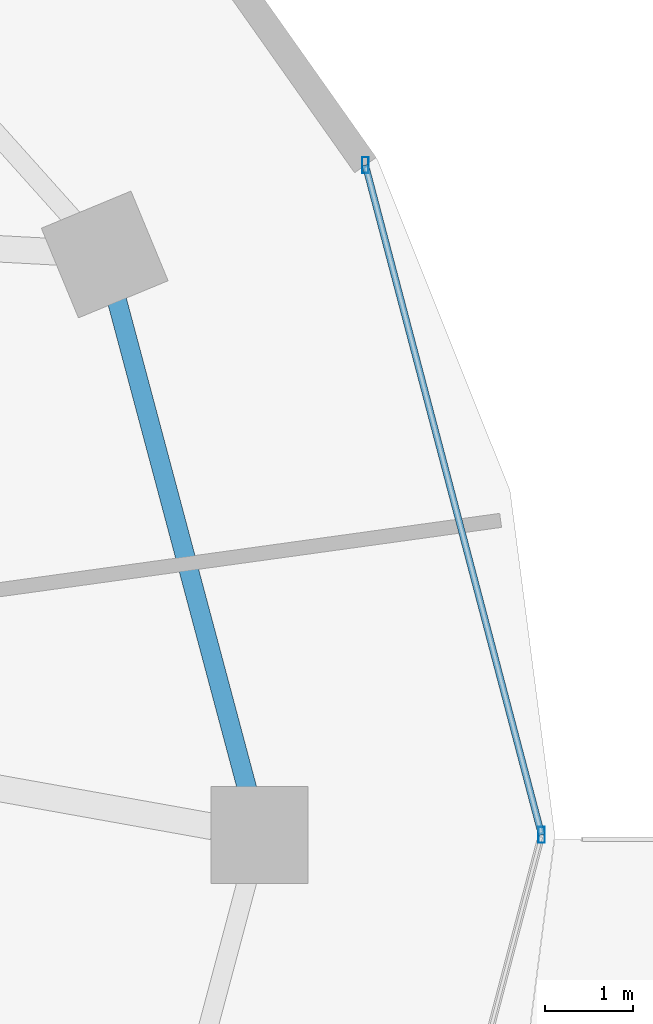
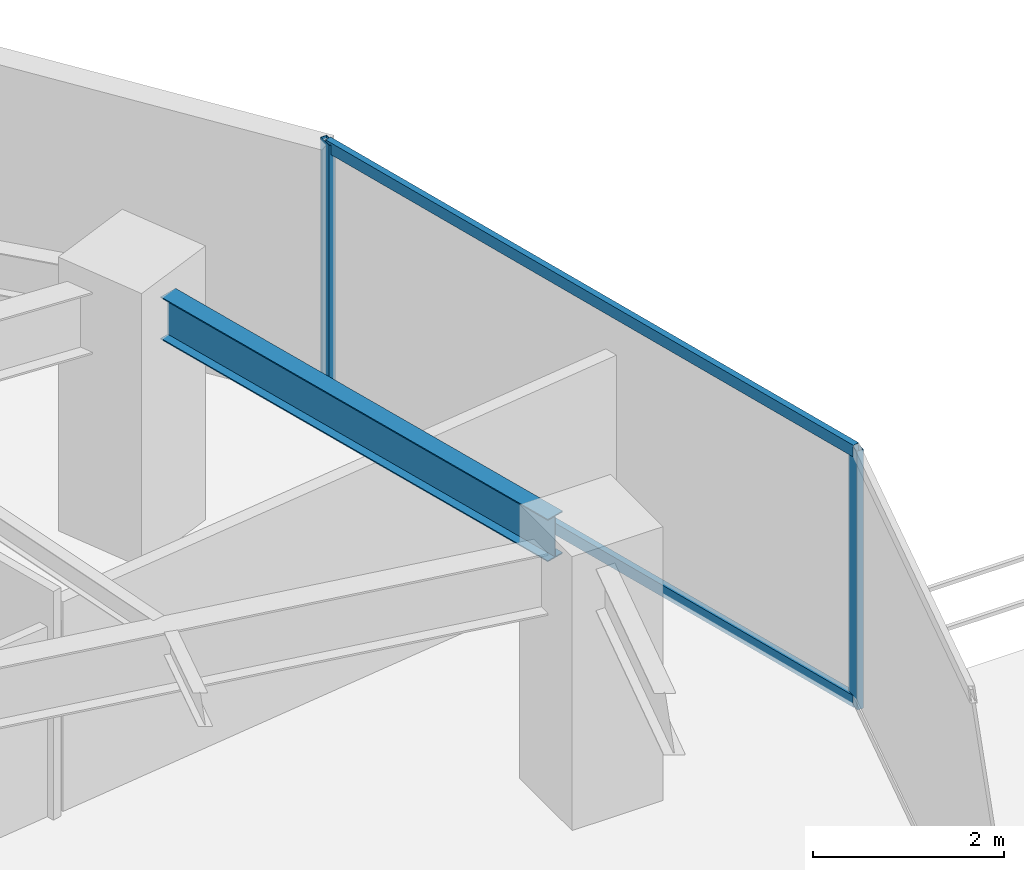
# One storey, part 15 of 30: 4 members, 1 beam, 1 element without a shape of its own.
"""IFC4 building model written with IfcOpenShell, lengths in metres."""

from ifc_helpers import new_model, si_unit, direction, frame, origin, origin_2d, place, context, subcontext, project, spatial, hollow_rectangle, i_section, extrude, material, material_profile, profile_set, type_object, element, aggregate, save


model = new_model("IFC4")

# Units and contexts
model_context = context("Model", 3, precision=1e-05, world=origin(), true_north=direction((0.0, 1.0)))
body_context = subcontext(model_context, "Body", "Model", "MODEL_VIEW")
ifc_project = project(units=[si_unit("LENGTHUNIT", "METRE"), si_unit("AREAUNIT", "SQUARE_METRE"), si_unit("VOLUMEUNIT", "CUBIC_METRE"), si_unit("PLANEANGLEUNIT", "RADIAN"), si_unit("MASSUNIT", "GRAM", prefix="KILO")], contexts=[model_context])

# Site, building, storey
site_placement = place(None, origin())
site = spatial("IfcSite", under=ifc_project, at=site_placement, CompositionType="ELEMENT")
building_placement = place(site_placement, origin())
building = spatial("IfcBuilding", under=site, at=building_placement, Name="Vorneva Point Tower", CompositionType="ELEMENT")
storey_placement = place(building_placement, frame((0.0, 0.0, 96.300048828125)))
storey = spatial("IfcBuildingStorey", under=building, at=storey_placement, Name="L25", CompositionType="ELEMENT", Elevation=96.300048828125)

# Beam
ifc_material_1 = material(Name="Steel S355", Category="steel")
ifc_material_profile_1 = material_profile(ifc_material_1, i_section(OverallWidth=0.219970703125, OverallDepth=0.54296875, WebThickness=0.009521484375, FlangeThickness=0.013427734375, at=origin_2d()), Name="55B1")
ifc_profile_set_1 = profile_set([ifc_material_profile_1], Name="Steel S355")
beam_type = type_object("IfcBeamType", Name="BM-SPN-55B1", PredefinedType="SPANDREL", material=ifc_profile_set_1)
beam_placement = place(storey_placement, frame((60.912109375, 26.516845703125, 2.968505859375), z_axis=(-0.257572674071, 0.966258928845, 0.0), x_axis=(-0.966258928845, -0.257572674071, 0.0)))
element("IfcBeam", 1, at=beam_placement, inside=storey, type_object=beam_type, Name="L25 Perimeter Spandrel Ring Beam 01", PredefinedType="SPANDREL", context=body_context, shape_type="SweptSolid", body=[
    extrude(i_section(OverallWidth=0.219970703125, OverallDepth=0.54296875, WebThickness=0.009521484375, FlangeThickness=0.013427734375, at=origin_2d()), origin(), (0.0, 0.0, 1.0), 5.7421875),
])

# Curtain wall, members
ifc_material_2 = material(Name="Pale anodised aluminium", Category="aluminium")
curtain_wall_type = type_object("IfcCurtainWallType", Name="CW-HTL-SYS", PredefinedType="NOTDEFINED", material=ifc_material_2)
curtain_wall_placement = place(storey_placement, origin())
curtain_wall = element("IfcCurtainWall", 2, at=curtain_wall_placement, inside=storey, type_object=curtain_wall_type, Name="L25 Unitised Curtain Wall CW-L25-R01", PredefinedType="NOTDEFINED")
ifc_material_profile_2 = material_profile(ifc_material_2, hollow_rectangle(XDim=0.074951171875, YDim=0.179931640625, WallThickness=0.00390625, at=origin_2d()), Name="AL-MUL 180x75x4")
ifc_profile_set_2 = profile_set([ifc_material_profile_2], Name="Pale anodised aluminium")
member_type_1 = type_object("IfcMemberType", Name="CW-MUL-180", PredefinedType="MULLION", material=ifc_profile_set_2)
member_1_placement = place(storey_placement, frame((64.25, 26.0, -0.0400390625), z_axis=(0.0, 0.0, 1.0), x_axis=(1.0, 0.0, 0.0)))
member_1 = element("IfcMember", 3, at=member_1_placement, type_object=member_type_1, Name="CW-L25-R01 Mullion 03", PredefinedType="MULLION", context=body_context, shape_type="SweptSolid", body=[
    extrude(hollow_rectangle(XDim=0.074951171875, YDim=0.179931640625, WallThickness=0.00390625, at=origin_2d()), origin(), (0.0, 0.0, 1.0), 3.31005859375),
])
member_2_placement = place(storey_placement, frame((62.251708984375, 33.59619140625, -0.0400390625), z_axis=(0.0, 0.0, 1.0), x_axis=(1.0, 0.0, 0.0)))
member_2 = element("IfcMember", 4, at=member_2_placement, type_object=member_type_1, Name="CW-L25-R01 Mullion 04", PredefinedType="MULLION", context=body_context, shape_type="SweptSolid", body=[
    extrude(hollow_rectangle(XDim=0.074951171875, YDim=0.179931640625, WallThickness=0.00390625, at=origin_2d()), origin(), (0.0, 0.0, 1.0), 3.31005859375),
])
ifc_material_profile_3 = material_profile(ifc_material_2, hollow_rectangle(XDim=0.074951171875, YDim=0.14990234375, WallThickness=0.00390625, at=origin_2d()), Name="AL-TRN 150x75x4")
ifc_profile_set_3 = profile_set([ifc_material_profile_3], Name="Pale anodised aluminium")
member_type_2 = type_object("IfcMemberType", Name="CW-TRN-150", PredefinedType="USERDEFINED", material=ifc_profile_set_3)
member_3_placement = place(storey_placement, frame((64.25, 26.0, 0.02001953125), z_axis=(-0.254409150465, 0.967096677773, 0.0), x_axis=(-0.967096677773, -0.254409150465, 0.0)))
member_3 = element("IfcMember", 5, at=member_3_placement, type_object=member_type_2, Name="CW-L25-R01 Transom 03.1", ObjectType="TRANSOM", PredefinedType="USERDEFINED", context=body_context, shape_type="SweptSolid", body=[
    extrude(hollow_rectangle(XDim=0.074951171875, YDim=0.14990234375, WallThickness=0.00390625, at=origin_2d()), origin(), (0.0, 0.0, 1.0), 7.854736328125),
])
member_4_placement = place(storey_placement, frame((64.25, 26.0, 3.219970703125), z_axis=(-0.254409150465, 0.967096677773, 0.0), x_axis=(-0.967096677773, -0.254409150465, 0.0)))
member_4 = element("IfcMember", 6, at=member_4_placement, type_object=member_type_2, Name="CW-L25-R01 Transom 03.2", ObjectType="TRANSOM", PredefinedType="USERDEFINED", context=body_context, shape_type="SweptSolid", body=[
    extrude(hollow_rectangle(XDim=0.074951171875, YDim=0.14990234375, WallThickness=0.00390625, at=origin_2d()), origin(), (0.0, 0.0, 1.0), 7.854736328125),
])
aggregate(curtain_wall, [member_1, member_2, member_3, member_4])

save(model, "model.ifc")
